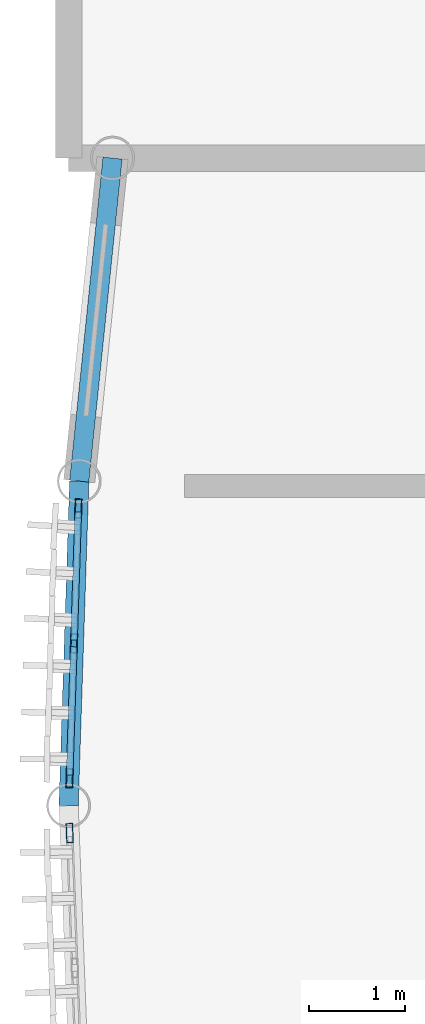
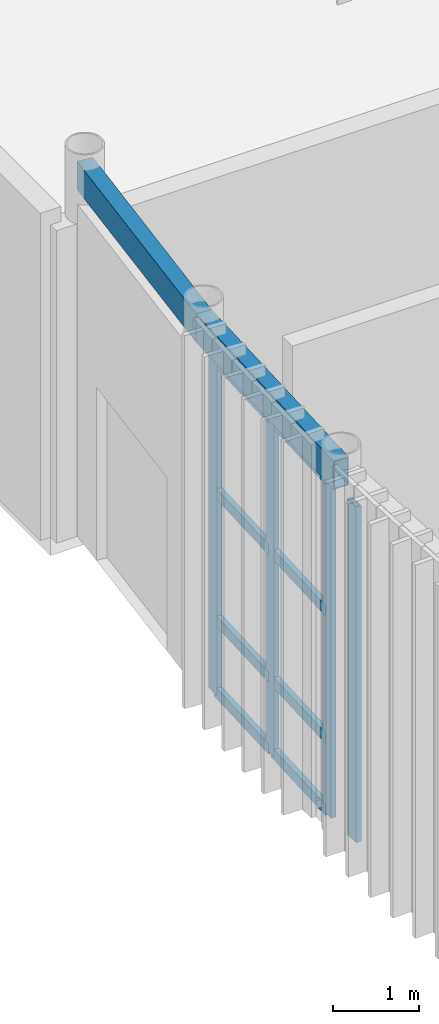
# One storey, part 32 of 87: 12 members, 2 beams, 2 elements without a shape of their own.
"""IFC4 building model written with IfcOpenShell, lengths in metres."""

from ifc_helpers import new_model, si_unit, direction, frame, origin, origin_2d, place, context, subcontext, project, spatial, hollow_rectangle, extrude, material, layer, layer_set, material_profile, profile_set, type_object, element, aggregate, save


model = new_model("IFC4")

# Units and contexts
model_context = context("Model", 3, precision=1e-05, world=origin(), true_north=direction((0.0, 1.0)))
body_context = subcontext(model_context, "Body", "Model", "MODEL_VIEW")
ifc_project = project(units=[si_unit("LENGTHUNIT", "METRE"), si_unit("AREAUNIT", "SQUARE_METRE"), si_unit("VOLUMEUNIT", "CUBIC_METRE"), si_unit("PLANEANGLEUNIT", "RADIAN"), si_unit("MASSUNIT", "GRAM", prefix="KILO")], contexts=[model_context])

# Site, building, storey
site_placement = place(None, origin())
site = spatial("IfcSite", under=ifc_project, at=site_placement, CompositionType="ELEMENT")
building_placement = place(site_placement, origin())
building = spatial("IfcBuilding", under=site, at=building_placement, Name="Selat Folded Stagehouse", CompositionType="ELEMENT")
storey_placement = place(building_placement, origin())
storey = spatial("IfcBuildingStorey", under=building, at=storey_placement, Name="L00", CompositionType="ELEMENT", Elevation=0.0)

# Curtain wall, members
ifc_material_1 = material(Name="Aluminium 6063-T6", Category="aluminium")
ifc_layer = layer(ifc_material_1, 0.219970703125)
ifc_layer_set = layer_set([ifc_layer], Name="Aluminium 6063-T6")
curtain_wall_type = type_object("IfcCurtainWallType", Name="CW-DRM-HIGH", PredefinedType="NOTDEFINED", material=ifc_layer_set)
curtain_wall_1_placement = place(storey_placement, origin())
curtain_wall_1 = element("IfcCurtainWall", 1, at=curtain_wall_1_placement, inside=storey, type_object=curtain_wall_type, Name="L00 curtain wall CW-DRM-L00-01", PredefinedType="NOTDEFINED")
ifc_material_profile_1 = material_profile(ifc_material_1, hollow_rectangle(XDim=0.070068359375, YDim=0.199951171875, WallThickness=0.0048828125, at=origin_2d()), Name="ALU 200x70x5.0")
ifc_profile_set_1 = profile_set([ifc_material_profile_1], Name="Aluminium 6063-T6")
member_type_1 = type_object("IfcMemberType", Name="CWM-MUL-200x70", PredefinedType="MULLION", material=ifc_profile_set_1)
member_1_placement = place(storey_placement, frame((0.009521484375, 48.16650390625, 0.0), z_axis=(0.0, 0.0, 1.0), x_axis=(-0.999467648801, 0.032625434862, 0.0)))
member_1 = element("IfcMember", 2, at=member_1_placement, type_object=member_type_1, Name="CW-01 mullion 1", PredefinedType="MULLION", context=body_context, shape_type="SweptSolid", body=[
    extrude(hollow_rectangle(XDim=0.070068359375, YDim=0.199951171875, WallThickness=0.0048828125, at=origin_2d()), origin(), (0.0, 0.0, 1.0), 4.739990234375),
])
member_2_placement = place(storey_placement, frame((0.05517578125, 49.565185546875, 0.0), z_axis=(0.0, 0.0, 1.0), x_axis=(-0.999467648801, 0.032625434862, 0.0)))
member_2 = element("IfcMember", 3, at=member_2_placement, type_object=member_type_1, Name="CW-01 mullion 2", PredefinedType="MULLION", context=body_context, shape_type="SweptSolid", body=[
    extrude(hollow_rectangle(XDim=0.070068359375, YDim=0.199951171875, WallThickness=0.0048828125, at=origin_2d()), origin(), (0.0, 0.0, 1.0), 4.739990234375),
])
member_3_placement = place(storey_placement, frame((0.100830078125, 50.9638671875, 0.0), z_axis=(0.0, 0.0, 1.0), x_axis=(-0.999467648801, 0.032625434862, 0.0)))
member_3 = element("IfcMember", 4, at=member_3_placement, type_object=member_type_1, Name="CW-01 mullion 3", PredefinedType="MULLION", context=body_context, shape_type="SweptSolid", body=[
    extrude(hollow_rectangle(XDim=0.070068359375, YDim=0.199951171875, WallThickness=0.0048828125, at=origin_2d()), origin(), (0.0, 0.0, 1.0), 4.739990234375),
])

# Curtain wall, member
curtain_wall_2_placement = place(storey_placement, origin())
curtain_wall_2 = element("IfcCurtainWall", 5, at=curtain_wall_2_placement, inside=storey, type_object=curtain_wall_type, Name="L00 curtain wall CW-DRM-L00-02", PredefinedType="NOTDEFINED")
member_4_placement = place(storey_placement, frame((0.0107421875, 47.596923828125, 0.0), z_axis=(0.0, 0.0, 1.0), x_axis=(-0.999293858167, -0.037573727908, 0.0)))
member_4 = element("IfcMember", 6, at=member_4_placement, type_object=member_type_1, Name="CW-01 mullion 3", PredefinedType="MULLION", context=body_context, shape_type="SweptSolid", body=[
    extrude(hollow_rectangle(XDim=0.070068359375, YDim=0.199951171875, WallThickness=0.0048828125, at=origin_2d()), origin(), (0.0, 0.0, 1.0), 4.739990234375),
])
aggregate(curtain_wall_2, [member_4])

# Member
ifc_material_profile_2 = material_profile(ifc_material_1, hollow_rectangle(XDim=0.070068359375, YDim=0.14990234375, WallThickness=0.00390625, at=origin_2d()), Name="ALU 150x70x4.0")
ifc_profile_set_2 = profile_set([ifc_material_profile_2], Name="Aluminium 6063-T6")
member_type_2 = type_object("IfcMemberType", Name="CWM-TRN-150x70", PredefinedType="USERDEFINED", material=ifc_profile_set_2)
member_5_placement = place(storey_placement, frame((0.010498046875, 48.201416015625, 0.034912109375), z_axis=(0.032685080765, 0.999465700009, 0.0), x_axis=(-0.999465700009, 0.032685080765, 0.0)))
member_5 = element("IfcMember", 7, at=member_5_placement, type_object=member_type_2, Name="CW-01 transom 1.1", ObjectType="TRANSOM", PredefinedType="USERDEFINED", context=body_context, shape_type="SweptSolid", body=[
    extrude(hollow_rectangle(XDim=0.070068359375, YDim=0.14990234375, WallThickness=0.00390625, at=origin_2d()), origin(), (0.0, 0.0, 1.0), 1.32958984375),
])

member_6_placement = place(storey_placement, frame((0.010498046875, 48.201416015625, 1.050048828125), z_axis=(0.032685080765, 0.999465700009, 0.0), x_axis=(-0.999465700009, 0.032685080765, 0.0)))
member_6 = element("IfcMember", 8, at=member_6_placement, type_object=member_type_2, Name="CW-01 transom 1.2", ObjectType="TRANSOM", PredefinedType="USERDEFINED", context=body_context, shape_type="SweptSolid", body=[
    extrude(hollow_rectangle(XDim=0.070068359375, YDim=0.14990234375, WallThickness=0.00390625, at=origin_2d()), origin(), (0.0, 0.0, 1.0), 1.32958984375),
])

member_7_placement = place(storey_placement, frame((0.010498046875, 48.201416015625, 2.85009765625), z_axis=(0.032685080765, 0.999465700009, 0.0), x_axis=(-0.999465700009, 0.032685080765, 0.0)))
member_7 = element("IfcMember", 9, at=member_7_placement, type_object=member_type_2, Name="CW-01 transom 1.3", ObjectType="TRANSOM", PredefinedType="USERDEFINED", context=body_context, shape_type="SweptSolid", body=[
    extrude(hollow_rectangle(XDim=0.070068359375, YDim=0.14990234375, WallThickness=0.00390625, at=origin_2d()), origin(), (0.0, 0.0, 1.0), 1.32958984375),
])

member_8_placement = place(storey_placement, frame((0.010498046875, 48.201416015625, 4.705078125), z_axis=(0.032685080765, 0.999465700009, 0.0), x_axis=(-0.999465700009, 0.032685080765, 0.0)))
member_8 = element("IfcMember", 10, at=member_8_placement, type_object=member_type_2, Name="CW-01 transom 1.4", ObjectType="TRANSOM", PredefinedType="USERDEFINED", context=body_context, shape_type="SweptSolid", body=[
    extrude(hollow_rectangle(XDim=0.070068359375, YDim=0.14990234375, WallThickness=0.00390625, at=origin_2d()), origin(), (0.0, 0.0, 1.0), 1.32958984375),
])

member_9_placement = place(storey_placement, frame((0.05615234375, 49.60009765625, 0.034912109375), z_axis=(0.032685080765, 0.999465700009, 0.0), x_axis=(-0.999465700009, 0.032685080765, 0.0)))
member_9 = element("IfcMember", 11, at=member_9_placement, type_object=member_type_2, Name="CW-01 transom 2.1", ObjectType="TRANSOM", PredefinedType="USERDEFINED", context=body_context, shape_type="SweptSolid", body=[
    extrude(hollow_rectangle(XDim=0.070068359375, YDim=0.14990234375, WallThickness=0.00390625, at=origin_2d()), origin(), (0.0, 0.0, 1.0), 1.32958984375),
])

member_10_placement = place(storey_placement, frame((0.05615234375, 49.60009765625, 1.050048828125), z_axis=(0.032685080765, 0.999465700009, 0.0), x_axis=(-0.999465700009, 0.032685080765, 0.0)))
member_10 = element("IfcMember", 12, at=member_10_placement, type_object=member_type_2, Name="CW-01 transom 2.2", ObjectType="TRANSOM", PredefinedType="USERDEFINED", context=body_context, shape_type="SweptSolid", body=[
    extrude(hollow_rectangle(XDim=0.070068359375, YDim=0.14990234375, WallThickness=0.00390625, at=origin_2d()), origin(), (0.0, 0.0, 1.0), 1.32958984375),
])

member_11_placement = place(storey_placement, frame((0.05615234375, 49.60009765625, 2.85009765625), z_axis=(0.032685080765, 0.999465700009, 0.0), x_axis=(-0.999465700009, 0.032685080765, 0.0)))
member_11 = element("IfcMember", 13, at=member_11_placement, type_object=member_type_2, Name="CW-01 transom 2.3", ObjectType="TRANSOM", PredefinedType="USERDEFINED", context=body_context, shape_type="SweptSolid", body=[
    extrude(hollow_rectangle(XDim=0.070068359375, YDim=0.14990234375, WallThickness=0.00390625, at=origin_2d()), origin(), (0.0, 0.0, 1.0), 1.32958984375),
])

member_12_placement = place(storey_placement, frame((0.05615234375, 49.60009765625, 4.705078125), z_axis=(0.032685080765, 0.999465700009, 0.0), x_axis=(-0.999465700009, 0.032685080765, 0.0)))
member_12 = element("IfcMember", 14, at=member_12_placement, type_object=member_type_2, Name="CW-01 transom 2.4", ObjectType="TRANSOM", PredefinedType="USERDEFINED", context=body_context, shape_type="SweptSolid", body=[
    extrude(hollow_rectangle(XDim=0.070068359375, YDim=0.14990234375, WallThickness=0.00390625, at=origin_2d()), origin(), (0.0, 0.0, 1.0), 1.32958984375),
])

aggregate(curtain_wall_1, [member_1, member_2, member_3, member_5, member_6, member_7, member_8, member_9, member_10, member_11, member_12])

# Beams
ifc_material_2 = material(Name="Steel S355", Category="steel")
ifc_material_profile_3 = material_profile(ifc_material_2, hollow_rectangle(XDim=0.199951171875, YDim=0.39990234375, WallThickness=0.012451171875, at=origin_2d()), Name="RHS 400x200x12.5")
ifc_profile_set_3 = profile_set([ifc_material_profile_3], Name="Steel S355")
beam_type = type_object("IfcBeamType", Name="SPD-EXT-400x200", PredefinedType="SPANDREL", material=ifc_profile_set_3)
beam_1_placement = place(storey_placement, frame((0.455810546875, 54.60009765625, 4.97998046875), z_axis=(-0.102609885069, -0.994721675388, 0.0), x_axis=(0.994721675388, -0.102609885069, 0.0)))
element("IfcBeam", 15, at=beam_1_placement, inside=storey, type_object=beam_type, Name="L00 curved drum spandrel beam 1", PredefinedType="SPANDREL", context=body_context, shape_type="SweptSolid", body=[
    extrude(hollow_rectangle(XDim=0.199951171875, YDim=0.39990234375, WallThickness=0.012451171875, at=origin_2d()), origin(), (0.0, 0.0, 1.0), 3.369140625),
])
beam_2_placement = place(storey_placement, frame((0.110107421875, 51.248779296875, 4.97998046875), z_axis=(-0.03268264694, -0.999465779599, 0.0), x_axis=(0.999465779599, -0.03268264694, 0.0)))
element("IfcBeam", 16, at=beam_2_placement, inside=storey, type_object=beam_type, Name="L00 curved drum spandrel beam 2", PredefinedType="SPANDREL", context=body_context, shape_type="SweptSolid", body=[
    extrude(hollow_rectangle(XDim=0.199951171875, YDim=0.39990234375, WallThickness=0.012451171875, at=origin_2d()), origin(), (0.0, 0.0, 1.0), 3.368896484375),
])

save(model, "model.ifc")
